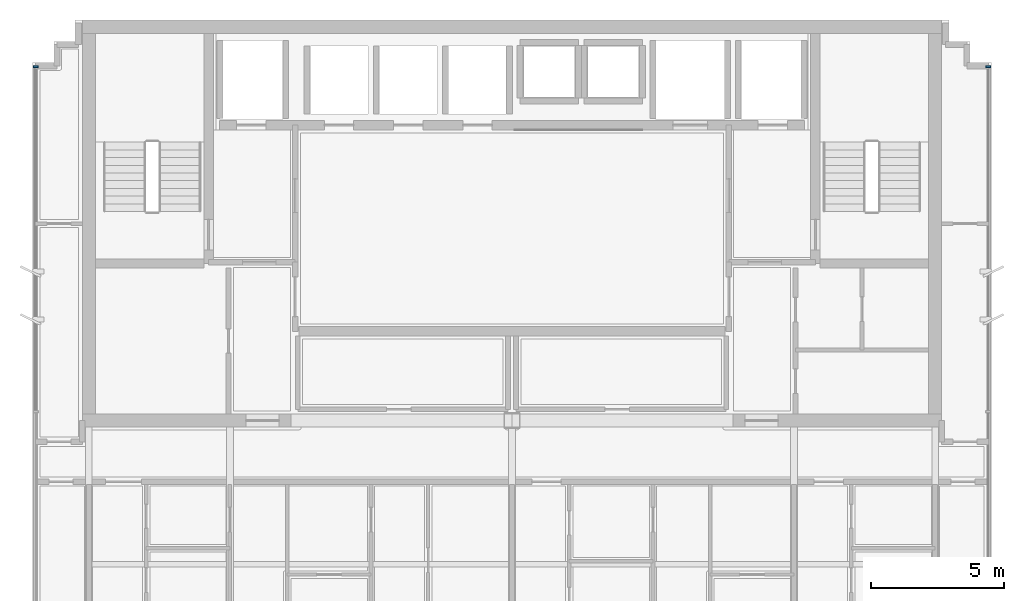
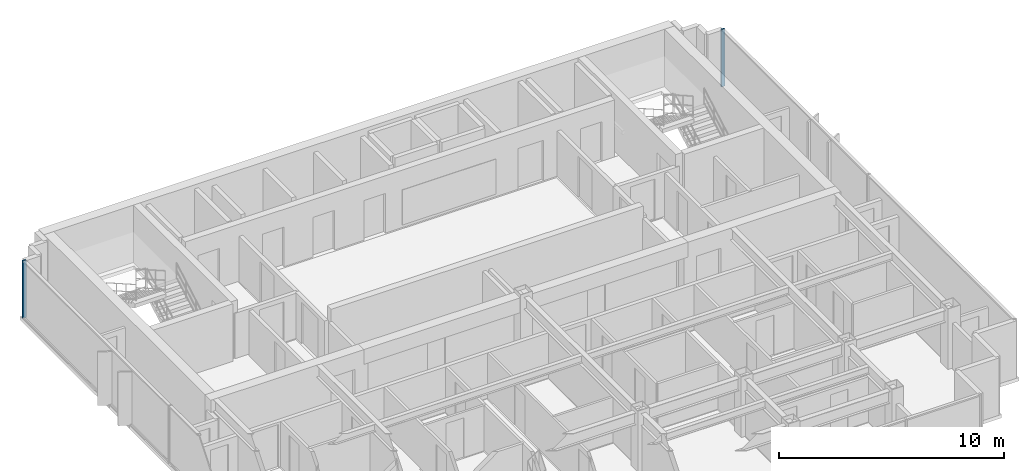
# One storey, part 4 of 11: 2 members, 2 elements without a shape of their own.
"""IFC4 building model written with IfcOpenShell, lengths in metres."""

from ifc_helpers import new_model, si_unit, direction, frame, origin, origin_2d, place, context, subcontext, project, spatial, rectangle, extrude, source, transform, mapped, material, layer, layer_set, material_profile, profile_set, type_object, element, aggregate, save


model = new_model("IFC4")

# Units and contexts
model_context = context("Model", 3, precision=1e-05, world=origin(), true_north=direction((0.0, 1.0)))
body_context = subcontext(model_context, "Body", "Model", "MODEL_VIEW")
ifc_project = project(units=[si_unit("LENGTHUNIT", "METRE"), si_unit("AREAUNIT", "SQUARE_METRE"), si_unit("VOLUMEUNIT", "CUBIC_METRE"), si_unit("PLANEANGLEUNIT", "RADIAN"), si_unit("MASSUNIT", "GRAM", prefix="KILO")], contexts=[model_context])

# Site, building, storey
site_placement = place(None, origin())
site = spatial("IfcSite", under=ifc_project, at=site_placement, CompositionType="ELEMENT")
building_placement = place(site_placement, origin())
building = spatial("IfcBuilding", under=site, at=building_placement, Name="Qianlan Lanfeng Residences", CompositionType="ELEMENT")
storey_placement = place(building_placement, frame((0.0, 0.0, 259.39990234375)))
storey = spatial("IfcBuildingStorey", under=building, at=storey_placement, Name="L72", CompositionType="ELEMENT", Elevation=259.39990234375)

# Curtain wall, member
ifc_material = material(Name="Anodised Bronze Aluminium 6063-T6", Category="aluminium")
ifc_layer = layer(ifc_material, 0.219970703125)
ifc_layer_set = layer_set([ifc_layer], Name="Anodised Bronze Aluminium 6063-T6")
curtain_wall_type = type_object("IfcCurtainWallType", Name="CW-06", PredefinedType="NOTDEFINED", material=ifc_layer_set)
curtain_wall_1_placement = place(storey_placement, origin())
curtain_wall_1 = element("IfcCurtainWall", 1, at=curtain_wall_1_placement, inside=storey, type_object=curtain_wall_type, Name="L72 Unitised Curtain Wall CWR-L72-03 (CW-06)", PredefinedType="NOTDEFINED")
ifc_material_profile = material_profile(ifc_material, rectangle(XDim=0.074951171875, YDim=0.179931640625, at=origin_2d()), Name="ALU MULLION 75x180")
ifc_profile_set = profile_set([ifc_material_profile], Name="Anodised Bronze Aluminium 6063-T6")
member_type = type_object("IfcMemberType", Name="CWM-180", PredefinedType="MULLION", material=ifc_profile_set)
shared_shape = source(origin(), body_context, "Body", "SweptSolid", [
    extrude(rectangle(XDim=0.074951171875, YDim=0.179931640625, at=origin_2d()), origin(), (0.0, 0.0, 1.0), 3.110107421875),
])
member_1_placement = place(storey_placement, frame((44.39990234375, 38.492431640625, 0.0), z_axis=(0.0, 0.0, 1.0), x_axis=(0.0, 1.0, 0.0)))
member_1 = element("IfcMember", 2, at=member_1_placement, type_object=member_type, Name="CWR-L72-03 Mullion 3", PredefinedType="MULLION", context=body_context, shape_type="MappedRepresentation", body=[
    mapped(shared_shape, transform((0.0, 0.0, 0.0), scale=1.0)),
])
aggregate(curtain_wall_1, [member_1])

curtain_wall_2_placement = place(storey_placement, origin())
curtain_wall_2 = element("IfcCurtainWall", 3, at=curtain_wall_2_placement, inside=storey, type_object=curtain_wall_type, Name="L72 Unitised Curtain Wall CWR-L72-04 (CW-06)", PredefinedType="NOTDEFINED")
member_2_placement = place(storey_placement, frame((8.60009765625, 38.492431640625, 0.0), z_axis=(0.0, 0.0, 1.0), x_axis=(0.0, -1.0, 0.0)))
member_2 = element("IfcMember", 4, at=member_2_placement, type_object=member_type, Name="CWR-L72-04 Mullion 1", PredefinedType="MULLION", context=body_context, shape_type="MappedRepresentation", body=[
    mapped(shared_shape, transform((0.0, 0.0, 0.0), scale=1.0)),
])
aggregate(curtain_wall_2, [member_2])

save(model, "model.ifc")
